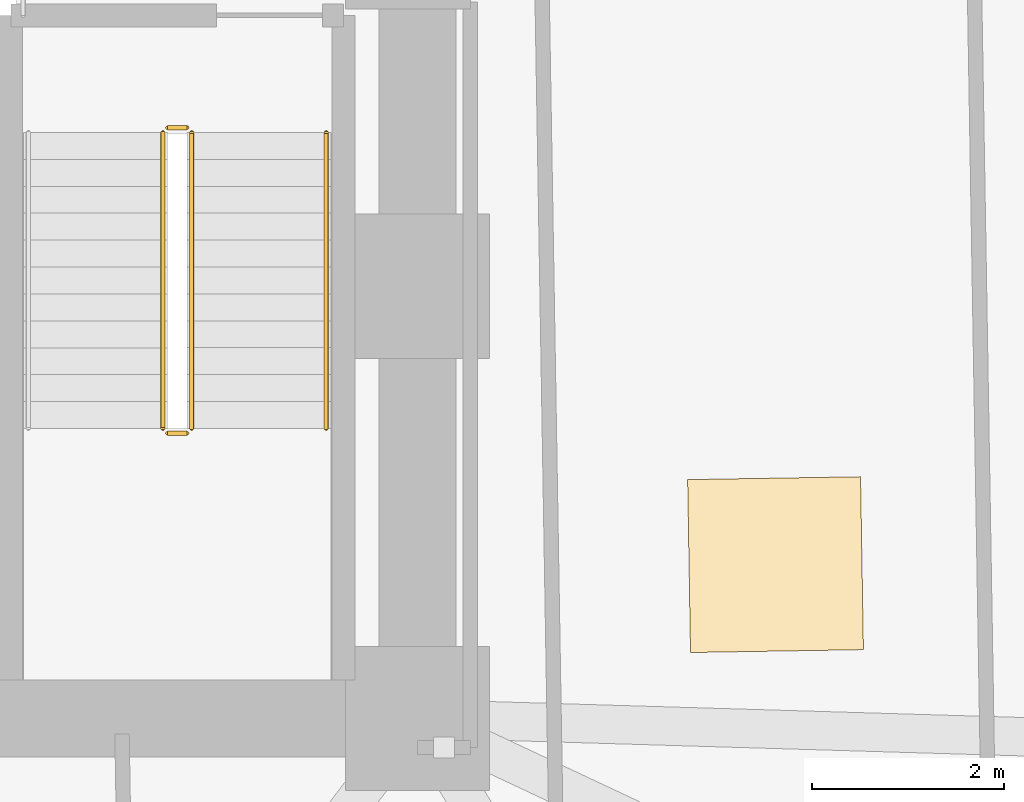
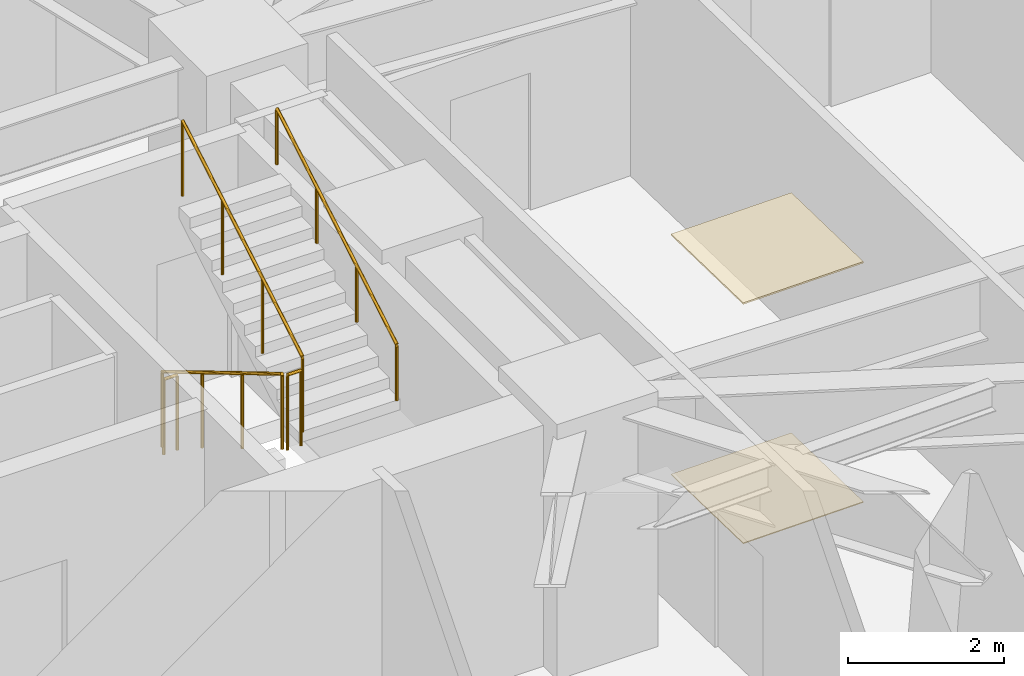
# One storey, part 13 of 17: 5 railings, 2 coverings.
"""IFC4 building model written with IfcOpenShell, lengths in metres."""

import ifcopenshell
import ifcopenshell.guid

model = None  # the IFC model being written
_history = None  # IfcOwnerHistory: only IFC2X3 demands one
_inside = {}  # id of a spatial element -> (the spatial element, [elements in it])
_under = {}  # id of a project, library or spatial element -> (it, [spatial elements below it])
_declared = {}  # id of a project -> (the project, [libraries it declares])
_typed = {}  # id of a type object -> (the type object, [elements of that type])
_made_of = {}  # id of a material, layer set ... -> (it, [elements and type objects made of it])


def new_model(schema):
    """Start an empty IFC model of exactly this schema.

    Asked for "IFC4X3", IfcOpenShell would pick the latest addendum, in which some entities
    have other attributes; the version numbers below select the first issue.
    IFC2X3 requires an IfcOwnerHistory on every rooted entity: one is made here for all.
    """
    global model, _history
    if schema == "IFC4X3":
        model = ifcopenshell.file(schema_version=(4, 3, 0, 0))
    else:
        model = ifcopenshell.file(schema=schema)
    _inside.clear()
    _under.clear()
    _declared.clear()
    _typed.clear()
    _made_of.clear()
    _history = None
    if model.schema == "IFC2X3":
        org = make("IfcOrganization", Name="unknown")
        user = make(
            "IfcPersonAndOrganization",
            ThePerson=make("IfcPerson", FamilyName="unknown"),
            TheOrganization=org,
        )
        app = make(
            "IfcApplication",
            ApplicationDeveloper=org,
            Version="unknown",
            ApplicationFullName="unknown",
            ApplicationIdentifier="unknown",
        )
        _history = make(
            "IfcOwnerHistory",
            OwningUser=user,
            OwningApplication=app,
            ChangeAction="ADDED",
            CreationDate=0,
        )
    return model


def make(cls, **values):
    """One entity of the class cls with the attributes given. An attribute that is None is left unset."""
    return model.create_entity(
        cls, **{name: value for name, value in values.items() if value is not None}
    )


def rooted(cls, **values):
    """An entity with a GlobalId (a new one), such as an element, a storey or a relation."""
    return make(cls, GlobalId=ifcopenshell.guid.new(), OwnerHistory=_history, **values)


def si_unit(unit_type, name, prefix=None):
    """IfcSIUnit, for example si_unit("LENGTHUNIT", "METRE", prefix="MILLI")."""
    return make("IfcSIUnit", UnitType=unit_type, Prefix=prefix, Name=name)


def assignment(units):
    """IfcUnitAssignment: the units of a project."""
    return None if units is None else make("IfcUnitAssignment", Units=units)


def point(xyz):
    """IfcCartesianPoint."""
    return None if xyz is None else make("IfcCartesianPoint", Coordinates=xyz)


def direction(xyz):
    """IfcDirection."""
    return None if xyz is None else make("IfcDirection", DirectionRatios=xyz)


def frame(location, z_axis=None, x_axis=None):
    """IfcAxis2Placement3D, a coordinate frame: its origin and axes. An axis left out is left unset."""
    return make(
        "IfcAxis2Placement3D",
        Location=point(location),
        Axis=direction(z_axis),
        RefDirection=direction(x_axis),
    )


def frame_2d(location, x_axis=None):
    """IfcAxis2Placement2D, a coordinate frame in the plane: its origin and x axis."""
    return make(
        "IfcAxis2Placement2D", Location=point(location), RefDirection=direction(x_axis)
    )


def origin():
    """The frame at (0, 0, 0) with its axes left unset."""
    return frame((0.0, 0.0, 0.0))


def origin_2d():
    """The frame at (0, 0) in the plane with its x axis left unset."""
    return frame_2d((0.0, 0.0))


def place(relative_to, where):
    """IfcLocalPlacement: puts the frame where relative to a parent placement (None: the world)."""
    return make(
        "IfcLocalPlacement", PlacementRelTo=relative_to, RelativePlacement=where
    )


def context(
    kind, dimensions, precision=None, world=None, true_north=None, identifier=None
):
    """IfcGeometricRepresentationContext, for example the 3D "Model" context."""
    return make(
        "IfcGeometricRepresentationContext",
        ContextIdentifier=identifier,
        ContextType=kind,
        CoordinateSpaceDimension=dimensions,
        Precision=precision,
        WorldCoordinateSystem=world,
        TrueNorth=true_north,
    )


def subcontext(parent, identifier, kind, view, scale=None):
    """IfcGeometricRepresentationSubContext, for example "Body" below "Model"."""
    return make(
        "IfcGeometricRepresentationSubContext",
        ContextIdentifier=identifier,
        ContextType=kind,
        ParentContext=parent,
        TargetScale=scale,
        TargetView=view,
    )


def project(units=None, contexts=None):
    """IfcProject with its units and contexts."""
    return rooted(
        "IfcProject",
        Name="project",
        RepresentationContexts=contexts,
        UnitsInContext=assignment(units),
    )


def spatial(cls, under=None, at=None, **own):
    """A site, building, storey or space (cls), placed at a placement, below another one or the project."""
    s = rooted(cls, ObjectPlacement=at, **own)
    if under is not None:
        _under.setdefault(under.id(), (under, []))[1].append(s)
    return s


def profile(cls, at=None, kind="AREA", **sizes):
    """A parametric profile (cls). Its sizes go by their IFC names, for example OverallWidth=200.0."""
    return make(cls, ProfileType=kind, Position=at, **sizes)


def rectangle(**sizes):
    """IfcRectangleProfileDef."""
    return profile("IfcRectangleProfileDef", **sizes)


def circle(**sizes):
    """IfcCircleProfileDef."""
    return profile("IfcCircleProfileDef", **sizes)


def extrude(swept, where, along, depth):
    """IfcExtrudedAreaSolid: the profile swept, set in the frame where, extruded along a direction by depth."""
    return make(
        "IfcExtrudedAreaSolid",
        SweptArea=swept,
        Position=where,
        ExtrudedDirection=direction(along),
        Depth=depth,
    )


def shape(context_of_items, identifier, shape_type, items):
    """IfcShapeRepresentation: the items that make up one representation, for example the "Body"."""
    return make(
        "IfcShapeRepresentation",
        ContextOfItems=context_of_items,
        RepresentationIdentifier=identifier,
        RepresentationType=shape_type,
        Items=items,
    )


def material(Name=None, Category=None):
    """IfcMaterial."""
    return make("IfcMaterial", Name=Name, Category=Category)


def layer(
    of_material, thickness, ventilated=None, Name=None, Category=None, Priority=None
):
    """IfcMaterialLayer: one layer of a wall or slab, of a material (None: an air gap)."""
    return make(
        "IfcMaterialLayer",
        Material=of_material,
        LayerThickness=thickness,
        IsVentilated=ventilated,
        Name=Name,
        Category=Category,
        Priority=Priority,
    )


def layer_set(layers, Name=None):
    """IfcMaterialLayerSet."""
    return make("IfcMaterialLayerSet", MaterialLayers=layers, LayerSetName=Name)


def made_of(thing, what):
    """Note that an element or type object is made of a material, layer set ...; save() writes the relation."""
    if what is not None:
        _made_of.setdefault(what.id(), (what, []))[1].append(thing)
    return thing


def type_object(cls, material=None, **own):
    """A type object (cls), such as IfcWallType, which elements share."""
    return made_of(rooted(cls, **own), material)


def element(
    cls,
    number,
    at=None,
    inside=None,
    cuts=None,
    type_object=None,
    material=None,
    context=None,
    identifier="Body",
    shape_type=None,
    held_by="IfcProductDefinitionShape",
    body=None,
    shapes=None,
    **own,
):
    """One element of the class cls, such as IfcWall. Its Tag is "e" and its number.

    at: its placement. inside: the storey or other place that contains it. cuts: it is an
    opening in that element (IfcRelVoidsElement). A single representation is given by context,
    identifier, shape_type and body (its items); several are given by shapes. held_by: the class
    of the entity that holds the representations. save() writes the other relations.
    """
    e = rooted(cls, Tag="e%d" % number, ObjectPlacement=at, **own)
    if body is not None:
        shapes = [shape(context, identifier, shape_type, body)]
    if shapes is not None:
        e.Representation = make(held_by, Representations=shapes)
    if inside is not None:
        _inside.setdefault(inside.id(), (inside, []))[1].append(e)
    if cuts is not None:
        rooted(
            "IfcRelVoidsElement", RelatingBuildingElement=cuts, RelatedOpeningElement=e
        )
    if type_object is not None:
        _typed.setdefault(type_object.id(), (type_object, []))[1].append(e)
    return made_of(e, material)


def aggregate(whole, parts):
    """IfcRelAggregates: a whole, such as a stair, and the parts it consists of."""
    return rooted("IfcRelAggregates", RelatingObject=whole, RelatedObjects=parts)


def save(model, path):
    """Write the relations noted so far, then the file.

    IfcRelAggregates (storeys below a building ...), IfcRelContainedInSpatialStructure (elements
    in a storey), IfcRelDefinesByType, IfcRelAssociatesMaterial and IfcRelDeclares: one each for
    every whole, place, type object, material and project.
    """
    for whole, parts in _under.values():
        aggregate(whole, parts)
    for where, things in _inside.values():
        rooted(
            "IfcRelContainedInSpatialStructure",
            RelatedElements=things,
            RelatingStructure=where,
        )
    for kind, things in _typed.values():
        rooted("IfcRelDefinesByType", RelatedObjects=things, RelatingType=kind)
    for what, things in _made_of.values():
        rooted("IfcRelAssociatesMaterial", RelatedObjects=things, RelatingMaterial=what)
    for by, libraries in _declared.values():
        rooted("IfcRelDeclares", RelatingContext=by, RelatedDefinitions=libraries)
    model.write(path)


model = new_model("IFC4")

# Units and contexts
model_context = context("Model", 3, precision=1e-05, world=origin(), true_north=direction((0.0, 1.0)))
body_context = subcontext(model_context, "Body", "Model", "MODEL_VIEW")
ifc_project = project(units=[si_unit("LENGTHUNIT", "METRE"), si_unit("AREAUNIT", "SQUARE_METRE"), si_unit("VOLUMEUNIT", "CUBIC_METRE"), si_unit("PLANEANGLEUNIT", "RADIAN"), si_unit("MASSUNIT", "GRAM", prefix="KILO")], contexts=[model_context])

# Site, building, storey
site_placement = place(None, origin())
site = spatial("IfcSite", under=ifc_project, at=site_placement, CompositionType="ELEMENT")
building_placement = place(site_placement, origin())
building = spatial("IfcBuilding", under=site, at=building_placement, Name="Gaonmaruhae Medical Tower", CompositionType="ELEMENT")
storey_placement = place(building_placement, frame((0.0, 0.0, 27.0)))
storey = spatial("IfcBuildingStorey", under=building, at=storey_placement, Name="L05", CompositionType="ELEMENT", Elevation=27.0)

# Coverings
ifc_material_1 = material(Name="Acoustic mineral ceiling tile", Category="finish")
ifc_layer_1 = layer(ifc_material_1, 0.02490234375)
ifc_layer_set_1 = layer_set([ifc_layer_1], Name="Acoustic mineral ceiling tile")
covering_type_1 = type_object("IfcCoveringType", Name="CLG-01 Antimicrobial Acoustic Mineral Ceiling", PredefinedType="CEILING", material=ifc_layer_set_1)
covering_1_placement = place(storey_placement, frame((39.326171875, 9.40283203125, 3.755126953125), z_axis=(0.0, 0.0, 1.0), x_axis=(0.999862544538, 0.016579868188, 0.0)))
element("IfcCovering", 1, at=covering_1_placement, inside=storey, type_object=covering_type_1, Name="L05 Clinical Room Acoustic Ceiling 4", PredefinedType="CEILING", context=body_context, shape_type="SweptSolid", body=[
    extrude(rectangle(XDim=1.800048828125, YDim=1.800048828125, at=origin_2d()), origin(), (0.0, 0.0, 1.0), 0.02490234375),
])
ifc_material_2 = material(Name="Seamless clinical vinyl flooring", Category="finish")
ifc_layer_2 = layer(ifc_material_2, 0.014892578125)
ifc_layer_set_2 = layer_set([ifc_layer_2], Name="Seamless clinical vinyl flooring")
covering_type_2 = type_object("IfcCoveringType", Name="FLR-01 Seamless Clinical Antistatic Vinyl Flooring", PredefinedType="FLOORING", material=ifc_layer_set_2)
covering_2_placement = place(storey_placement, frame((39.326171875, 9.40283203125, 0.0), z_axis=(0.0, 0.0, 1.0), x_axis=(0.999862544538, 0.016579868188, 0.0)))
element("IfcCovering", 2, at=covering_2_placement, inside=storey, type_object=covering_type_2, Name="L05 Clinical Room Vinyl Flooring 4", PredefinedType="FLOORING", context=body_context, shape_type="SweptSolid", body=[
    extrude(rectangle(XDim=1.800048828125, YDim=1.800048828125, at=origin_2d()), origin(), (0.0, 0.0, 1.0), 0.014892578125),
])

# Railings
ifc_material_3 = material(Name="Stainless steel 304 handrail", Category="steel")
railing_type_1 = type_object("IfcRailingType", Name="HR-092 Continuous Stainless Steel Stair Handrail", PredefinedType="HANDRAIL", material=ifc_material_3)
railing_1_placement = place(storey_placement, frame((34.64990234375, 10.820068359375, 2.166748046875)))
element("IfcRailing", 3, at=railing_1_placement, inside=storey, type_object=railing_type_1, Name="L05 ST-02 stair handrail 2", PredefinedType="HANDRAIL", context=body_context, shape_type="SweptSolid", body=[
    extrude(circle(Radius=0.02392578125, at=origin_2d()), frame((0.0, 0.0, 0.8759765625), z_axis=(0.0, 0.859290745958, 0.51148745235), x_axis=(-1.0, 0.0, 0.0)), (0.0, 0.0, 1.0), 3.584228515625),
    extrude(circle(Radius=0.02099609375, at=origin_2d()), origin(), (0.0, 0.0, 1.0), 0.851806640625),
    extrude(circle(Radius=0.02099609375, at=origin_2d()), frame((0.0, 1.026611328125, 0.611083984375)), (0.0, 0.0, 1.0), 0.851806640625),
    extrude(circle(Radius=0.02099609375, at=origin_2d()), frame((0.0, 2.05322265625, 1.22216796875)), (0.0, 0.0, 1.0), 0.851806640625),
    extrude(circle(Radius=0.02099609375, at=origin_2d()), frame((0.0, 3.079833984375, 1.833251953125)), (0.0, 0.0, 1.0), 0.851806640625),
])
ifc_material_4 = material(Name="Stainless steel 304 balustrade", Category="steel")
railing_type_2 = type_object("IfcRailingType", Name="SG-112 Stair Well & Ramp Void Safety Balustrade", PredefinedType="BALUSTRADE", material=ifc_material_4)
railing_2_placement = place(storey_placement, frame((32.949951171875, 13.89990234375, 0.166748046875)))
element("IfcRailing", 4, at=railing_2_placement, inside=storey, type_object=railing_type_2, Name="L05 ST-02 stair guard 1", PredefinedType="BALUSTRADE", context=body_context, shape_type="SweptSolid", body=[
    extrude(circle(Radius=0.02392578125, at=origin_2d()), frame((0.0, 0.0, 1.17578125), z_axis=(0.0, -0.859290745958, 0.51148745235), x_axis=(1.0, 0.0, 0.0)), (0.0, 0.0, 1.0), 3.584228515625),
    extrude(circle(Radius=0.02099609375, at=origin_2d()), origin(), (0.0, 0.0, 1.0), 1.15185546875),
    extrude(circle(Radius=0.02099609375, at=origin_2d()), frame((0.0, -1.026611328125, 0.611083984375)), (0.0, 0.0, 1.0), 1.15185546875),
    extrude(circle(Radius=0.02099609375, at=origin_2d()), frame((0.0, -2.05322265625, 1.22216796875)), (0.0, 0.0, 1.0), 1.15185546875),
    extrude(circle(Radius=0.02099609375, at=origin_2d()), frame((0.0, -3.079833984375, 1.833251953125)), (0.0, 0.0, 1.0), 1.15185546875),
])
railing_3_placement = place(storey_placement, frame((33.0, 10.77001953125, 2.0)))
element("IfcRailing", 5, at=railing_3_placement, inside=storey, type_object=railing_type_2, Name="L05 ST-02 stair guard 2", PredefinedType="BALUSTRADE", context=body_context, shape_type="SweptSolid", body=[
    extrude(circle(Radius=0.02392578125, at=origin_2d()), frame((0.0, 0.0, 1.17578125), z_axis=(1.0, 0.0, 0.0), x_axis=(0.0, 1.0, 0.0)), (0.0, 0.0, 1.0), 0.199951171875),
    extrude(circle(Radius=0.02099609375, at=origin_2d()), origin(), (0.0, 0.0, 1.0), 1.15185546875),
    extrude(circle(Radius=0.02099609375, at=origin_2d()), frame((0.199951171875, 0.0, 0.0)), (0.0, 0.0, 1.0), 1.15185546875),
])
railing_4_placement = place(storey_placement, frame((33.25, 10.820068359375, 2.166748046875)))
element("IfcRailing", 6, at=railing_4_placement, inside=storey, type_object=railing_type_2, Name="L05 ST-02 stair guard 3", PredefinedType="BALUSTRADE", context=body_context, shape_type="SweptSolid", body=[
    extrude(circle(Radius=0.02392578125, at=origin_2d()), frame((0.0, 0.0, 1.17578125), z_axis=(0.0, 0.859290745958, 0.51148745235), x_axis=(-1.0, 0.0, 0.0)), (0.0, 0.0, 1.0), 3.584228515625),
    extrude(circle(Radius=0.02099609375, at=origin_2d()), origin(), (0.0, 0.0, 1.0), 1.15185546875),
    extrude(circle(Radius=0.02099609375, at=origin_2d()), frame((0.0, 1.026611328125, 0.611083984375)), (0.0, 0.0, 1.0), 1.15185546875),
    extrude(circle(Radius=0.02099609375, at=origin_2d()), frame((0.0, 2.05322265625, 1.22216796875)), (0.0, 0.0, 1.0), 1.15185546875),
    extrude(circle(Radius=0.02099609375, at=origin_2d()), frame((0.0, 3.079833984375, 1.833251953125)), (0.0, 0.0, 1.0), 1.15185546875),
])
railing_5_placement = place(storey_placement, frame((33.0, 13.949951171875, 0.0)))
element("IfcRailing", 7, at=railing_5_placement, inside=storey, type_object=railing_type_2, Name="L05 ST-02 stair guard 4", PredefinedType="BALUSTRADE", context=body_context, shape_type="SweptSolid", body=[
    extrude(circle(Radius=0.02392578125, at=origin_2d()), frame((0.0, 0.0, 1.17578125), z_axis=(1.0, 0.0, 0.0), x_axis=(0.0, 1.0, 0.0)), (0.0, 0.0, 1.0), 0.199951171875),
    extrude(circle(Radius=0.02099609375, at=origin_2d()), origin(), (0.0, 0.0, 1.0), 1.15185546875),
    extrude(circle(Radius=0.02099609375, at=origin_2d()), frame((0.199951171875, 0.0, 0.0)), (0.0, 0.0, 1.0), 1.15185546875),
])

save(model, "model.ifc")
